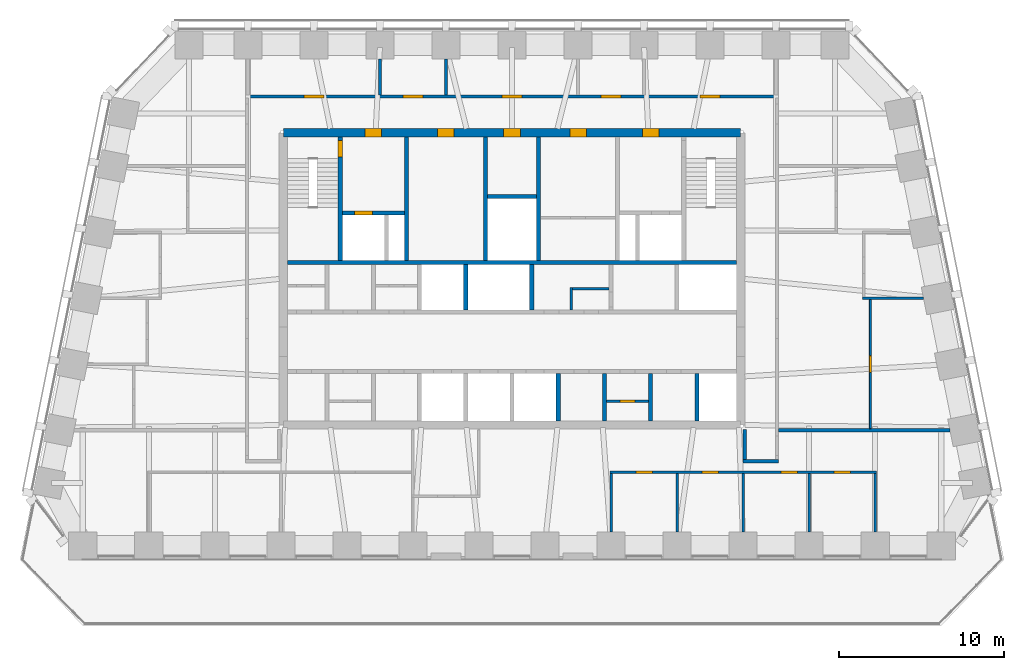
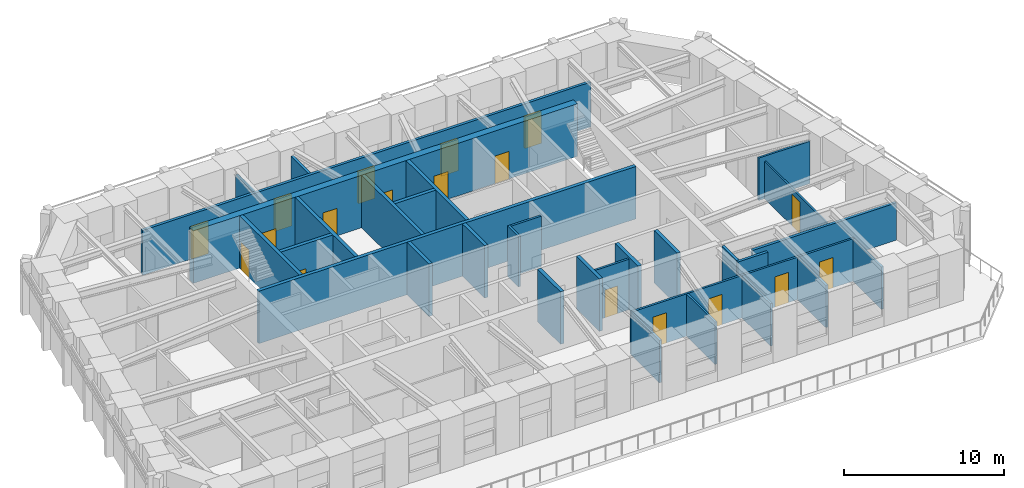
# One storey, part 6 of 10: 31 walls, 18 doors, 18 openings.
"""IFC4 building model written with IfcOpenShell, lengths in metres."""

from ifc_helpers import new_model, si_unit, direction, frame, frame_2d, origin, place, context, subcontext, project, spatial, rectangle, extrude, material, layer, layer_set, type_object, element, fill, save


model = new_model("IFC4")

# Units and contexts
model_context = context("Model", 3, precision=1e-05, world=origin(), true_north=direction((0.0, 1.0)))
body_context = subcontext(model_context, "Body", "Model", "MODEL_VIEW")
ifc_project = project(units=[si_unit("LENGTHUNIT", "METRE"), si_unit("AREAUNIT", "SQUARE_METRE"), si_unit("VOLUMEUNIT", "CUBIC_METRE"), si_unit("PLANEANGLEUNIT", "RADIAN"), si_unit("MASSUNIT", "GRAM", prefix="KILO")], contexts=[model_context])

# Site, building, storey
site_placement = place(None, origin())
site = spatial("IfcSite", under=ifc_project, at=site_placement, CompositionType="ELEMENT")
building_placement = place(site_placement, origin())
building = spatial("IfcBuilding", under=site, at=building_placement, Name="Isbrekke Arena Tower", CompositionType="ELEMENT")
storey_placement = place(building_placement, frame((0.0, 0.0, 296.0)))
storey = spatial("IfcBuildingStorey", under=building, at=storey_placement, Name="L69", CompositionType="ELEMENT", Elevation=296.0)

# Wall, openings, doors
ifc_material_1 = material(Name="Concrete B55 (C55/67)", Category="concrete")
ifc_layer_1 = layer(ifc_material_1, 0.5)
ifc_layer_set_1 = layer_set([ifc_layer_1], Name="CW5 CORE WALL 500")
wall_type_1 = type_object("IfcWallType", Name="CW5 CORE WALL 500", PredefinedType="SHEAR", material=ifc_layer_set_1)
wall_1_placement = place(storey_placement, frame((13.85009765625, 23.85009765625, 0.0), z_axis=(0.0, 0.0, 1.0), x_axis=(-1.0, 0.0, 0.0)))
wall_1 = element("IfcWall", 1, at=wall_1_placement, inside=storey, type_object=wall_type_1, Name="Core wall N L69", PredefinedType="SHEAR", context=body_context, shape_type="SweptSolid", body=[
    extrude(rectangle(XDim=27.7001953125, YDim=0.5, at=frame_2d((13.85009765625, 0.0))), origin(), (0.0, 0.0, 1.0), 4.0),
])
opening_1_placement = place(wall_1_placement, frame((21.75, 0.0, 0.0)))
opening_1 = element("IfcOpeningElement", 2, at=opening_1_placement, cuts=wall_1, Name="Opening D3", PredefinedType="OPENING", context=body_context, shape_type="SweptSolid", body=[
    extrude(rectangle(XDim=1.0, YDim=2.10009765625, at=frame_2d((0.5, 1.050048828125))), frame((0.0, 0.264892578125, 0.0), z_axis=(0.0, -1.0, 0.0), x_axis=(1.0, 0.0, 0.0)), (0.0, 0.0, 1.0), 0.52978515625),
])
opening_2_placement = place(wall_1_placement, frame((4.949951171875, 0.0, 0.0)))
opening_2 = element("IfcOpeningElement", 3, at=opening_2_placement, cuts=wall_1, Name="Opening D3", PredefinedType="OPENING", context=body_context, shape_type="SweptSolid", body=[
    extrude(rectangle(XDim=1.0, YDim=2.10009765625, at=frame_2d((0.5, 1.050048828125))), frame((0.0, 0.264892578125, 0.0), z_axis=(0.0, -1.0, 0.0), x_axis=(1.0, 0.0, 0.0)), (0.0, 0.0, 1.0), 0.52978515625),
])
opening_3_placement = place(wall_1_placement, frame((17.35009765625, 0.0, 0.0)))
opening_3 = element("IfcOpeningElement", 4, at=opening_3_placement, cuts=wall_1, Name="Opening D4", PredefinedType="OPENING", context=body_context, shape_type="SweptSolid", body=[
    extrude(rectangle(XDim=1.0, YDim=2.10009765625, at=frame_2d((0.5, 1.050048828125))), frame((0.0, 0.264892578125, 0.0), z_axis=(0.0, -1.0, 0.0), x_axis=(1.0, 0.0, 0.0)), (0.0, 0.0, 1.0), 0.52978515625),
])
opening_4_placement = place(wall_1_placement, frame((13.35009765625, 0.0, 0.0)))
opening_4 = element("IfcOpeningElement", 5, at=opening_4_placement, cuts=wall_1, Name="Opening D4", PredefinedType="OPENING", context=body_context, shape_type="SweptSolid", body=[
    extrude(rectangle(XDim=1.0, YDim=2.10009765625, at=frame_2d((0.5, 1.050048828125))), frame((0.0, 0.264892578125, 0.0), z_axis=(0.0, -1.0, 0.0), x_axis=(1.0, 0.0, 0.0)), (0.0, 0.0, 1.0), 0.52978515625),
])
opening_5_placement = place(wall_1_placement, frame((9.35009765625, 0.0, 0.0)))
opening_5 = element("IfcOpeningElement", 6, at=opening_5_placement, cuts=wall_1, Name="Opening D4", PredefinedType="OPENING", context=body_context, shape_type="SweptSolid", body=[
    extrude(rectangle(XDim=1.0, YDim=2.10009765625, at=frame_2d((0.5, 1.050048828125))), frame((0.0, 0.264892578125, 0.0), z_axis=(0.0, -1.0, 0.0), x_axis=(1.0, 0.0, 0.0)), (0.0, 0.0, 1.0), 0.52978515625),
])
ifc_material_2 = material(Name="Steel fire door", Category="steel")
door_type_1 = type_object("IfcDoorType", Name="D3 FIRE LOBBY DOOR 1000 x 2100", OperationType="SINGLE_SWING_RIGHT", PredefinedType="DOOR", material=ifc_material_2)
door_1_placement = place(opening_1_placement, origin())
door_1 = element("IfcDoor", 7, at=door_1_placement, inside=storey, type_object=door_type_1, Name="D3 fire-fighting lobby door L69", OperationType="SINGLE_SWING_RIGHT", OverallHeight=2.10009765625, OverallWidth=1.0, PredefinedType="DOOR", context=body_context, shape_type="SweptSolid", body=[
    extrude(rectangle(XDim=1.0, YDim=2.10009765625, at=frame_2d((0.5, 1.050048828125))), frame((0.0, 0.249755859375, 0.0), z_axis=(0.0, -1.0, 0.0), x_axis=(1.0, 0.0, 0.0)), (0.0, 0.0, 1.0), 0.49951171875),
])
fill(opening_1, door_1)
door_2_placement = place(opening_2_placement, origin())
door_2 = element("IfcDoor", 8, at=door_2_placement, inside=storey, type_object=door_type_1, Name="D3 fire-fighting lobby door L69", OperationType="SINGLE_SWING_RIGHT", OverallHeight=2.10009765625, OverallWidth=1.0, PredefinedType="DOOR", context=body_context, shape_type="SweptSolid", body=[
    extrude(rectangle(XDim=1.0, YDim=2.10009765625, at=frame_2d((0.5, 1.050048828125))), frame((0.0, 0.249755859375, 0.0), z_axis=(0.0, -1.0, 0.0), x_axis=(1.0, 0.0, 0.0)), (0.0, 0.0, 1.0), 0.49951171875),
])
fill(opening_2, door_2)
ifc_material_3 = material(Name="Timber door", Category="wood")
door_type_2 = type_object("IfcDoorType", Name="D4 WC DOOR 1000 x 2100", OperationType="SINGLE_SWING_LEFT", PredefinedType="DOOR", material=ifc_material_3)
door_3_placement = place(opening_3_placement, origin())
door_3 = element("IfcDoor", 9, at=door_3_placement, inside=storey, type_object=door_type_2, Name="D4 wc female door L69", OperationType="SINGLE_SWING_LEFT", OverallHeight=2.10009765625, OverallWidth=1.0, PredefinedType="DOOR", context=body_context, shape_type="SweptSolid", body=[
    extrude(rectangle(XDim=1.0, YDim=2.10009765625, at=frame_2d((0.5, 1.050048828125))), frame((0.0, 0.249755859375, 0.0), z_axis=(0.0, -1.0, 0.0), x_axis=(1.0, 0.0, 0.0)), (0.0, 0.0, 1.0), 0.49951171875),
])
fill(opening_3, door_3)
door_4_placement = place(opening_4_placement, origin())
door_4 = element("IfcDoor", 10, at=door_4_placement, inside=storey, type_object=door_type_2, Name="D4 accessible wc door L69", OperationType="SINGLE_SWING_LEFT", OverallHeight=2.10009765625, OverallWidth=1.0, PredefinedType="DOOR", context=body_context, shape_type="SweptSolid", body=[
    extrude(rectangle(XDim=1.0, YDim=2.10009765625, at=frame_2d((0.5, 1.050048828125))), frame((0.0, 0.249755859375, 0.0), z_axis=(0.0, -1.0, 0.0), x_axis=(1.0, 0.0, 0.0)), (0.0, 0.0, 1.0), 0.49951171875),
])
fill(opening_4, door_4)
door_5_placement = place(opening_5_placement, origin())
door_5 = element("IfcDoor", 11, at=door_5_placement, inside=storey, type_object=door_type_2, Name="D4 wc male door L69", OperationType="SINGLE_SWING_LEFT", OverallHeight=2.10009765625, OverallWidth=1.0, PredefinedType="DOOR", context=body_context, shape_type="SweptSolid", body=[
    extrude(rectangle(XDim=1.0, YDim=2.10009765625, at=frame_2d((0.5, 1.050048828125))), frame((0.0, 0.249755859375, 0.0), z_axis=(0.0, -1.0, 0.0), x_axis=(1.0, 0.0, 0.0)), (0.0, 0.0, 1.0), 0.49951171875),
])
fill(opening_5, door_5)

# Walls
ifc_material_4 = material(Name="Concrete B45 (C45/55)", Category="concrete")
ifc_layer_2 = layer(ifc_material_4, 0.25)
ifc_layer_set_2 = layer_set([ifc_layer_2], Name="CW6 SHAFT WALL 250")
wall_type_2 = type_object("IfcWallType", Name="CW6 SHAFT WALL 250", PredefinedType="SHEAR", material=ifc_layer_set_2)
wall_2_placement = place(storey_placement, frame((-13.60009765625, 16.0, 0.0), z_axis=(0.0, 0.0, 1.0), x_axis=(1.0, 0.0, 0.0)))
element("IfcWall", 12, at=wall_2_placement, inside=storey, type_object=wall_type_2, Name="Core wall NB L69", PredefinedType="SHEAR", context=body_context, shape_type="SweptSolid", body=[
    extrude(rectangle(XDim=27.2001953125, YDim=0.25, at=frame_2d((13.60009765625, 0.0))), origin(), (0.0, 0.0, 1.0), 4.0),
])
for number, where, z_axis, x_axis, name in (
    (13, (2.800048828125, 6.39990234375, 0.0), (0.0, 0.0, 1.0), (0.0, 1.0, 0.0), "Core wall SS06 L69"),
    (14, (5.60009765625, 6.39990234375, 0.0), (0.0, 0.0, 1.0), (0.0, 1.0, 0.0), "Core wall SS07 L69"),
    (15, (8.39990234375, 6.39990234375, 0.0), (0.0, 0.0, 1.0), (0.0, 1.0, 0.0), "Core wall SS08 L69"),
    (16, (11.199951171875, 6.39990234375, 0.0), (0.0, 0.0, 1.0), (0.0, 1.0, 0.0), "Core wall SS09 L69"),
):
    element("IfcWall", number, at=place(storey_placement, frame(where, z_axis=z_axis, x_axis=x_axis)), inside=storey, type_object=wall_type_2, Name=name, PredefinedType="SHEAR", context=body_context, shape_type="SweptSolid", body=[
        extrude(rectangle(XDim=2.875, YDim=0.25, at=frame_2d((1.4375, 0.0))), origin(), (0.0, 0.0, 1.0), 4.0),
    ])
for number, where, z_axis, x_axis, name in (
    (17, (-2.800048828125, 13.125, 0.0), (0.0, 0.0, 1.0), (0.0, 1.0, 0.0), "Core wall SN04 L69"),
    (18, (1.199951171875, 13.125, 0.0), (0.0, 0.0, 1.0), (0.0, 1.0, 0.0), "Core wall SN05 L69"),
):
    element("IfcWall", number, at=place(storey_placement, frame(where, z_axis=z_axis, x_axis=x_axis)), inside=storey, type_object=wall_type_2, Name=name, PredefinedType="SHEAR", context=body_context, shape_type="SweptSolid", body=[
        extrude(rectangle(XDim=2.75, YDim=0.25, at=frame_2d((1.375, 0.0))), origin(), (0.0, 0.0, 1.0), 4.0),
    ])

# Wall, opening, door
wall_3_placement = place(storey_placement, frame((-10.39990234375, 16.125, 0.0), z_axis=(0.0, 0.0, 1.0), x_axis=(0.0, 1.0, 0.0)))
wall_3 = element("IfcWall", 19, at=wall_3_placement, inside=storey, type_object=wall_type_2, Name="Core wall NV01 L69", PredefinedType="SHEAR", context=body_context, shape_type="SweptSolid", body=[
    extrude(rectangle(XDim=7.47509765625, YDim=0.25, at=frame_2d((3.737548828125, 0.0))), origin(), (0.0, 0.0, 1.0), 4.0),
])
opening_6_placement = place(wall_3_placement, frame((6.27490234375, 0.0, 0.0)))
opening_6 = element("IfcOpeningElement", 20, at=opening_6_placement, cuts=wall_3, Name="Opening D2", PredefinedType="OPENING", context=body_context, shape_type="SweptSolid", body=[
    extrude(rectangle(XDim=1.0, YDim=2.10009765625, at=frame_2d((0.5, 1.050048828125))), frame((0.0, 0.139892578125, 0.0), z_axis=(0.0, -1.0, 0.0), x_axis=(1.0, 0.0, 0.0)), (0.0, 0.0, 1.0), 0.27978515625),
])
ifc_material_5 = material(Name="Steel fire door", Category="steel")
door_type_3 = type_object("IfcDoorType", Name="D2 STAIR DOOR 1000 x 2100", OperationType="SINGLE_SWING_LEFT", PredefinedType="DOOR", material=ifc_material_5)
door_6_placement = place(opening_6_placement, origin())
door_6 = element("IfcDoor", 21, at=door_6_placement, inside=storey, type_object=door_type_3, Name="D2 stair door ST1 L69", OperationType="SINGLE_SWING_LEFT", OverallHeight=2.10009765625, OverallWidth=1.0, PredefinedType="DOOR", context=body_context, shape_type="SweptSolid", body=[
    extrude(rectangle(XDim=1.0, YDim=2.10009765625, at=frame_2d((0.5, 1.050048828125))), frame((0.0, 0.124755859375, 0.0), z_axis=(0.0, -1.0, 0.0), x_axis=(1.0, 0.0, 0.0)), (0.0, 0.0, 1.0), 0.24951171875),
])
fill(opening_6, door_6)

# Walls
for number, where, z_axis, x_axis, name in (
    (22, (-6.39990234375, 16.125, 0.0), (0.0, 0.0, 1.0), (0.0, 1.0, 0.0), "Core wall NV02 L69"),
    (23, (-1.60009765625, 16.125, 0.0), (0.0, 0.0, 1.0), (0.0, 1.0, 0.0), "Core wall NV03 L69"),
    (24, (1.60009765625, 16.125, 0.0), (0.0, 0.0, 1.0), (0.0, 1.0, 0.0), "Core wall NV04 L69"),
):
    element("IfcWall", number, at=place(storey_placement, frame(where, z_axis=z_axis, x_axis=x_axis)), inside=storey, type_object=wall_type_2, Name=name, PredefinedType="SHEAR", context=body_context, shape_type="SweptSolid", body=[
        extrude(rectangle(XDim=7.47509765625, YDim=0.25, at=frame_2d((3.737548828125, 0.0))), origin(), (0.0, 0.0, 1.0), 4.0),
    ])

# Wall, opening, door
wall_4_placement = place(storey_placement, frame((-10.27490234375, 19.0, 0.0), z_axis=(0.0, 0.0, 1.0), x_axis=(1.0, 0.0, 0.0)))
wall_4 = element("IfcWall", 25, at=wall_4_placement, inside=storey, type_object=wall_type_2, Name="Core wall NFW L69", PredefinedType="SHEAR", context=body_context, shape_type="SweptSolid", body=[
    extrude(rectangle(XDim=3.75, YDim=0.25, at=frame_2d((1.875, 0.0))), origin(), (0.0, 0.0, 1.0), 4.0),
])
opening_7_placement = place(wall_4_placement, frame((0.72509765625, 0.0, 0.0)))
opening_7 = element("IfcOpeningElement", 26, at=opening_7_placement, cuts=wall_4, Name="Opening LD2", PredefinedType="OPENING", context=body_context, shape_type="SweptSolid", body=[
    extrude(rectangle(XDim=1.10009765625, YDim=2.10009765625, at=frame_2d((0.550048828125, 1.050048828125))), frame((0.0, 0.139892578125, 0.0), z_axis=(0.0, -1.0, 0.0), x_axis=(1.0, 0.0, 0.0)), (0.0, 0.0, 1.0), 0.27978515625),
])
ifc_material_6 = material(Name="Stainless steel lift landing door", Category="steel")
door_type_4 = type_object("IfcDoorType", Name="LD2 FIRE-FIGHTING LIFT LANDING DOOR 1100 x 2100", OperationType="SLIDING_TO_RIGHT", PredefinedType="DOOR", material=ifc_material_6)
door_7_placement = place(opening_7_placement, origin())
door_7 = element("IfcDoor", 27, at=door_7_placement, inside=storey, type_object=door_type_4, Name="LD2 lift landing door LF L69", OperationType="SLIDING_TO_RIGHT", OverallHeight=2.10009765625, OverallWidth=1.10009765625, PredefinedType="DOOR", context=body_context, shape_type="SweptSolid", body=[
    extrude(rectangle(XDim=1.10009765625, YDim=2.10009765625, at=frame_2d((0.550048828125, 1.050048828125))), frame((0.0, 0.124755859375, 0.0), z_axis=(0.0, -1.0, 0.0), x_axis=(1.0, 0.0, 0.0)), (0.0, 0.0, 1.0), 0.24951171875),
])
fill(opening_7, door_7)

# Wall
wall_5_placement = place(storey_placement, frame((-1.47509765625, 20.0, 0.0), z_axis=(0.0, 0.0, 1.0), x_axis=(1.0, 0.0, 0.0)))
element("IfcWall", 28, at=wall_5_placement, inside=storey, type_object=wall_type_2, Name="Core wall NWC L69", PredefinedType="SHEAR", context=body_context, shape_type="SweptSolid", body=[
    extrude(rectangle(XDim=2.9501953125, YDim=0.25, at=frame_2d((1.47509765625, 0.0))), origin(), (0.0, 0.0, 1.0), 4.0),
])

# Wall, openings, doors
ifc_material_7 = material(Name="Gypsum board partition on steel studs", Category="steel")
ifc_layer_3 = layer(ifc_material_7, 0.14990234375)
ifc_layer_set_3 = layer_set([ifc_layer_3], Name="IW1 PARTITION 150")
wall_type_3 = type_object("IfcWallType", Name="IW1 PARTITION 150", PredefinedType="PARTITIONING", material=ifc_layer_set_3)
wall_6_placement = place(storey_placement, frame((5.925048828125, 3.300048828125, 0.0), z_axis=(0.0, 0.0, 1.0), x_axis=(1.0, 0.0, 0.0)))
wall_6 = element("IfcWall", 29, at=wall_6_placement, inside=storey, type_object=wall_type_3, Name="IW1 partition 150 L69", PredefinedType="PARTITIONING", context=body_context, shape_type="SweptSolid", body=[
    extrude(rectangle(XDim=16.14990234375, YDim=0.14990234375, at=frame_2d((8.074951171875, 0.0))), origin(), (0.0, 0.0, 1.0), 3.22998046875),
])
opening_8_placement = place(wall_6_placement, frame((1.574951171875, 0.0, 0.0)))
opening_8 = element("IfcOpeningElement", 30, at=opening_8_placement, cuts=wall_6, Name="Opening D10", PredefinedType="OPENING", context=body_context, shape_type="SweptSolid", body=[
    extrude(rectangle(XDim=1.0, YDim=2.300048828125, at=frame_2d((0.5, 1.14990234375))), frame((0.0, 0.08984375, 0.0), z_axis=(0.0, -1.0, 0.0), x_axis=(1.0, 0.0, 0.0)), (0.0, 0.0, 1.0), 0.1796875),
])
opening_9_placement = place(wall_6_placement, frame((5.574951171875, 0.0, 0.0)))
opening_9 = element("IfcOpeningElement", 31, at=opening_9_placement, cuts=wall_6, Name="Opening D10", PredefinedType="OPENING", context=body_context, shape_type="SweptSolid", body=[
    extrude(rectangle(XDim=1.0, YDim=2.300048828125, at=frame_2d((0.5, 1.14990234375))), frame((0.0, 0.08984375, 0.0), z_axis=(0.0, -1.0, 0.0), x_axis=(1.0, 0.0, 0.0)), (0.0, 0.0, 1.0), 0.1796875),
])
opening_10_placement = place(wall_6_placement, frame((10.375, 0.0, 0.0)))
opening_10 = element("IfcOpeningElement", 32, at=opening_10_placement, cuts=wall_6, Name="Opening D10", PredefinedType="OPENING", context=body_context, shape_type="SweptSolid", body=[
    extrude(rectangle(XDim=1.0, YDim=2.300048828125, at=frame_2d((0.5, 1.14990234375))), frame((0.0, 0.08984375, 0.0), z_axis=(0.0, -1.0, 0.0), x_axis=(1.0, 0.0, 0.0)), (0.0, 0.0, 1.0), 0.1796875),
])
opening_11_placement = place(wall_6_placement, frame((13.574951171875, 0.0, 0.0)))
opening_11 = element("IfcOpeningElement", 33, at=opening_11_placement, cuts=wall_6, Name="Opening D10", PredefinedType="OPENING", context=body_context, shape_type="SweptSolid", body=[
    extrude(rectangle(XDim=1.0, YDim=2.300048828125, at=frame_2d((0.5, 1.14990234375))), frame((0.0, 0.08984375, 0.0), z_axis=(0.0, -1.0, 0.0), x_axis=(1.0, 0.0, 0.0)), (0.0, 0.0, 1.0), 0.1796875),
])
ifc_material_8 = material(Name="Timber door", Category="wood")
door_type_5 = type_object("IfcDoorType", Name="D10 OFFICE DOOR 1000 x 2300", OperationType="SINGLE_SWING_LEFT", PredefinedType="DOOR", material=ifc_material_8)
door_8_placement = place(opening_8_placement, origin())
door_8 = element("IfcDoor", 34, at=door_8_placement, inside=storey, type_object=door_type_5, Name="D10 office door L69", OperationType="SINGLE_SWING_LEFT", OverallHeight=2.300048828125, OverallWidth=1.0, PredefinedType="DOOR", context=body_context, shape_type="SweptSolid", body=[
    extrude(rectangle(XDim=1.0, YDim=2.300048828125, at=frame_2d((0.5, 1.14990234375))), frame((0.0, 0.07470703125, 0.0), z_axis=(0.0, -1.0, 0.0), x_axis=(1.0, 0.0, 0.0)), (0.0, 0.0, 1.0), 0.1494140625),
])
fill(opening_8, door_8)
door_9_placement = place(opening_9_placement, origin())
door_9 = element("IfcDoor", 35, at=door_9_placement, inside=storey, type_object=door_type_5, Name="D10 office door L69", OperationType="SINGLE_SWING_LEFT", OverallHeight=2.300048828125, OverallWidth=1.0, PredefinedType="DOOR", context=body_context, shape_type="SweptSolid", body=[
    extrude(rectangle(XDim=1.0, YDim=2.300048828125, at=frame_2d((0.5, 1.14990234375))), frame((0.0, 0.07470703125, 0.0), z_axis=(0.0, -1.0, 0.0), x_axis=(1.0, 0.0, 0.0)), (0.0, 0.0, 1.0), 0.1494140625),
])
fill(opening_9, door_9)
door_10_placement = place(opening_10_placement, origin())
door_10 = element("IfcDoor", 36, at=door_10_placement, inside=storey, type_object=door_type_5, Name="D10 office door L69", OperationType="SINGLE_SWING_LEFT", OverallHeight=2.300048828125, OverallWidth=1.0, PredefinedType="DOOR", context=body_context, shape_type="SweptSolid", body=[
    extrude(rectangle(XDim=1.0, YDim=2.300048828125, at=frame_2d((0.5, 1.14990234375))), frame((0.0, 0.07470703125, 0.0), z_axis=(0.0, -1.0, 0.0), x_axis=(1.0, 0.0, 0.0)), (0.0, 0.0, 1.0), 0.1494140625),
])
fill(opening_10, door_10)
door_11_placement = place(opening_11_placement, origin())
door_11 = element("IfcDoor", 37, at=door_11_placement, inside=storey, type_object=door_type_5, Name="D10 office door L69", OperationType="SINGLE_SWING_LEFT", OverallHeight=2.300048828125, OverallWidth=1.0, PredefinedType="DOOR", context=body_context, shape_type="SweptSolid", body=[
    extrude(rectangle(XDim=1.0, YDim=2.300048828125, at=frame_2d((0.5, 1.14990234375))), frame((0.0, 0.07470703125, 0.0), z_axis=(0.0, -1.0, 0.0), x_axis=(1.0, 0.0, 0.0)), (0.0, 0.0, 1.0), 0.1494140625),
])
fill(opening_11, door_11)

# Walls
wall_7_placement = place(storey_placement, frame((21.22509765625, 13.840087890625, 0.0), z_axis=(0.0, 0.0, 1.0), x_axis=(1.0, 0.0, 0.0)))
element("IfcWall", 38, at=wall_7_placement, inside=storey, type_object=wall_type_3, Name="IW1 partition 150 L69", PredefinedType="PARTITIONING", context=body_context, shape_type="SweptSolid", body=[
    extrude(rectangle(XDim=3.69873046875, YDim=0.14990234375, at=frame_2d((1.849365234375, 0.0))), origin(), (0.0, 0.0, 1.0), 3.22998046875),
])
for number, where, z_axis, x_axis, name in (
    (39, (6.0, -0.324951171875, 0.0), (0.0, 0.0, 1.0), (0.0, 1.0, 0.0), "IW1 partition 150 L69"),
    (40, (10.0, -0.324951171875, 0.0), (0.0, 0.0, 1.0), (0.0, 1.0, 0.0), "IW1 partition 150 L69"),
    (41, (14.0, -0.324951171875, 0.0), (0.0, 0.0, 1.0), (0.0, 1.0, 0.0), "IW1 partition 150 L69"),
    (42, (18.0, -0.324951171875, 0.0), (0.0, 0.0, 1.0), (0.0, 1.0, 0.0), "IW1 partition 150 L69"),
    (43, (22.0, -0.324951171875, 0.0), (0.0, 0.0, 1.0), (0.0, 1.0, 0.0), "IW1 partition 150 L69"),
):
    element("IfcWall", number, at=place(storey_placement, frame(where, z_axis=z_axis, x_axis=x_axis)), inside=storey, type_object=wall_type_3, Name=name, PredefinedType="PARTITIONING", context=body_context, shape_type="SweptSolid", body=[
        extrude(rectangle(XDim=3.550048828125, YDim=0.14990234375, at=frame_2d((1.77490234375, 0.0))), origin(), (0.0, 0.0, 1.0), 3.22998046875),
    ])

# Wall, opening, door
ifc_material_9 = material(Name="Frameless glazed partition, laminated acoustic glass", Category="glass")
ifc_layer_4 = layer(ifc_material_9, 0.1201171875)
ifc_layer_set_4 = layer_set([ifc_layer_4], Name="IW2 GLAZED PARTITION 120")
wall_type_4 = type_object("IfcWallType", Name="IW2 GLAZED PARTITION 120", PredefinedType="PARTITIONING", material=ifc_layer_set_4)
wall_8_placement = place(storey_placement, frame((21.699951171875, 5.93994140625, 0.0), z_axis=(0.0, 0.0, 1.0), x_axis=(0.0, 1.0, 0.0)))
wall_8 = element("IfcWall", 44, at=wall_8_placement, inside=storey, type_object=wall_type_4, Name="IW2 glazed partition 120 L69", PredefinedType="PARTITIONING", context=body_context, shape_type="SweptSolid", body=[
    extrude(rectangle(XDim=7.824951171875, YDim=0.1201171875, at=frame_2d((3.91259765625, 0.0))), origin(), (0.0, 0.0, 1.0), 2.842041015625),
])
opening_12_placement = place(wall_8_placement, frame((3.39990234375, 0.0, 0.0)))
opening_12 = element("IfcOpeningElement", 45, at=opening_12_placement, cuts=wall_8, Name="Opening D11", PredefinedType="OPENING", context=body_context, shape_type="SweptSolid", body=[
    extrude(rectangle(XDim=1.0, YDim=2.39990234375, at=frame_2d((0.5, 1.199951171875))), frame((0.0, 0.074951171875, 0.0), z_axis=(0.0, -1.0, 0.0), x_axis=(1.0, 0.0, 0.0)), (0.0, 0.0, 1.0), 0.14990234375),
])
ifc_material_10 = material(Name="Frameless glazed door", Category="glass")
door_type_6 = type_object("IfcDoorType", Name="D11 GLAZED MEETING ROOM DOOR 1000 x 2400", OperationType="SINGLE_SWING_RIGHT", PredefinedType="DOOR", material=ifc_material_10)
door_12_placement = place(opening_12_placement, origin())
door_12 = element("IfcDoor", 46, at=door_12_placement, inside=storey, type_object=door_type_6, Name="D11 meeting room door L69", OperationType="SINGLE_SWING_RIGHT", OverallHeight=2.39990234375, OverallWidth=1.0, PredefinedType="DOOR", context=body_context, shape_type="SweptSolid", body=[
    extrude(rectangle(XDim=1.0, YDim=2.39990234375, at=frame_2d((0.5, 1.199951171875))), frame((0.0, 0.059814453125, 0.0), z_axis=(0.0, -1.0, 0.0), x_axis=(1.0, 0.0, 0.0)), (0.0, 0.0, 1.0), 0.11962890625),
])
fill(opening_12, door_12)

# Walls
ifc_material_11 = material(Name="Gypsum board fire-cell wall on steel studs, two layers each side", Category="steel")
ifc_layer_5 = layer(ifc_material_11, 0.199951171875)
ifc_layer_set_5 = layer_set([ifc_layer_5], Name="IW3 FIRE-CELL WALL 200")
wall_type_5 = type_object("IfcWallType", Name="IW3 FIRE-CELL WALL 200", PredefinedType="PARTITIONING", material=ifc_layer_set_5)
wall_9_placement = place(storey_placement, frame((14.0, 3.949951171875, 0.0), z_axis=(0.0, 0.0, 1.0), x_axis=(1.0, 0.0, 0.0)))
element("IfcWall", 47, at=wall_9_placement, inside=storey, type_object=wall_type_5, Name="IW3 fire-cell wall 200 L69", PredefinedType="PARTITIONING", context=body_context, shape_type="SweptSolid", body=[
    extrude(rectangle(XDim=2.14990234375, YDim=0.199951171875, at=frame_2d((1.074951171875, 0.0))), origin(), (0.0, 0.0, 1.0), 3.85009765625),
])
wall_10_placement = place(storey_placement, frame((16.14990234375, 5.840087890625, 0.0), z_axis=(0.0, 0.0, 1.0), x_axis=(1.0, 0.0, 0.0)))
element("IfcWall", 48, at=wall_10_placement, inside=storey, type_object=wall_type_5, Name="IW3 fire-cell wall 200 L69", PredefinedType="PARTITIONING", context=body_context, shape_type="SweptSolid", body=[
    extrude(rectangle(XDim=10.373779296875, YDim=0.199951171875, at=frame_2d((5.18701171875, 0.0))), origin(), (0.0, 0.0, 1.0), 2.842041015625),
])

# Wall, openings, doors
wall_11_placement = place(storey_placement, frame((-16.14990234375, 26.050048828125, 0.0), z_axis=(0.0, 0.0, 1.0), x_axis=(1.0, 0.0, 0.0)))
wall_11 = element("IfcWall", 49, at=wall_11_placement, inside=storey, type_object=wall_type_5, Name="IW3 fire-cell wall 200 L69", PredefinedType="PARTITIONING", context=body_context, shape_type="SweptSolid", body=[
    extrude(rectangle(XDim=32.2998046875, YDim=0.199951171875, at=frame_2d((16.14990234375, 0.0))), origin(), (0.0, 0.0, 1.0), 3.41796875),
])
opening_13_placement = place(wall_11_placement, frame((3.550048828125, 0.0, 0.0)))
opening_13 = element("IfcOpeningElement", 50, at=opening_13_placement, cuts=wall_11, Name="Opening D12", PredefinedType="OPENING", context=body_context, shape_type="SweptSolid", body=[
    extrude(rectangle(XDim=1.199951171875, YDim=2.39990234375, at=frame_2d((0.60009765625, 1.199951171875))), frame((0.0, 0.11474609375, 0.0), z_axis=(0.0, -1.0, 0.0), x_axis=(1.0, 0.0, 0.0)), (0.0, 0.0, 1.0), 0.229736328125),
])
opening_14_placement = place(wall_11_placement, frame((9.550048828125, 0.0, 0.0)))
opening_14 = element("IfcOpeningElement", 51, at=opening_14_placement, cuts=wall_11, Name="Opening D12", PredefinedType="OPENING", context=body_context, shape_type="SweptSolid", body=[
    extrude(rectangle(XDim=1.199951171875, YDim=2.39990234375, at=frame_2d((0.60009765625, 1.199951171875))), frame((0.0, 0.11474609375, 0.0), z_axis=(0.0, -1.0, 0.0), x_axis=(1.0, 0.0, 0.0)), (0.0, 0.0, 1.0), 0.229736328125),
])
opening_15_placement = place(wall_11_placement, frame((15.550048828125, 0.0, 0.0)))
opening_15 = element("IfcOpeningElement", 52, at=opening_15_placement, cuts=wall_11, Name="Opening D12", PredefinedType="OPENING", context=body_context, shape_type="SweptSolid", body=[
    extrude(rectangle(XDim=1.199951171875, YDim=2.39990234375, at=frame_2d((0.60009765625, 1.199951171875))), frame((0.0, 0.11474609375, 0.0), z_axis=(0.0, -1.0, 0.0), x_axis=(1.0, 0.0, 0.0)), (0.0, 0.0, 1.0), 0.229736328125),
])
opening_16_placement = place(wall_11_placement, frame((21.550048828125, 0.0, 0.0)))
opening_16 = element("IfcOpeningElement", 53, at=opening_16_placement, cuts=wall_11, Name="Opening D12", PredefinedType="OPENING", context=body_context, shape_type="SweptSolid", body=[
    extrude(rectangle(XDim=1.199951171875, YDim=2.39990234375, at=frame_2d((0.60009765625, 1.199951171875))), frame((0.0, 0.11474609375, 0.0), z_axis=(0.0, -1.0, 0.0), x_axis=(1.0, 0.0, 0.0)), (0.0, 0.0, 1.0), 0.229736328125),
])
opening_17_placement = place(wall_11_placement, frame((27.550048828125, 0.0, 0.0)))
opening_17 = element("IfcOpeningElement", 54, at=opening_17_placement, cuts=wall_11, Name="Opening D12", PredefinedType="OPENING", context=body_context, shape_type="SweptSolid", body=[
    extrude(rectangle(XDim=1.199951171875, YDim=2.39990234375, at=frame_2d((0.60009765625, 1.199951171875))), frame((0.0, 0.11474609375, 0.0), z_axis=(0.0, -1.0, 0.0), x_axis=(1.0, 0.0, 0.0)), (0.0, 0.0, 1.0), 0.229736328125),
])
ifc_material_12 = material(Name="Timber fire door with vision panel", Category="wood")
door_type_7 = type_object("IfcDoorType", Name="D12 SUITE ENTRANCE DOOR 1200 x 2400", OperationType="SINGLE_SWING_LEFT", PredefinedType="DOOR", material=ifc_material_12)
door_13_placement = place(opening_13_placement, origin())
door_13 = element("IfcDoor", 55, at=door_13_placement, inside=storey, type_object=door_type_7, Name="D12 suite entrance NB1 door L69", OperationType="SINGLE_SWING_LEFT", OverallHeight=2.39990234375, OverallWidth=1.199951171875, PredefinedType="DOOR", context=body_context, shape_type="SweptSolid", body=[
    extrude(rectangle(XDim=1.199951171875, YDim=2.39990234375, at=frame_2d((0.60009765625, 1.199951171875))), frame((0.0, 0.099609375, 0.0), z_axis=(0.0, -1.0, 0.0), x_axis=(1.0, 0.0, 0.0)), (0.0, 0.0, 1.0), 0.199462890625),
])
fill(opening_13, door_13)
door_14_placement = place(opening_14_placement, origin())
door_14 = element("IfcDoor", 56, at=door_14_placement, inside=storey, type_object=door_type_7, Name="D12 suite entrance NB2 door L69", OperationType="SINGLE_SWING_LEFT", OverallHeight=2.39990234375, OverallWidth=1.199951171875, PredefinedType="DOOR", context=body_context, shape_type="SweptSolid", body=[
    extrude(rectangle(XDim=1.199951171875, YDim=2.39990234375, at=frame_2d((0.60009765625, 1.199951171875))), frame((0.0, 0.099609375, 0.0), z_axis=(0.0, -1.0, 0.0), x_axis=(1.0, 0.0, 0.0)), (0.0, 0.0, 1.0), 0.199462890625),
])
fill(opening_14, door_14)
door_15_placement = place(opening_15_placement, origin())
door_15 = element("IfcDoor", 57, at=door_15_placement, inside=storey, type_object=door_type_7, Name="D12 suite entrance NB3 door L69", OperationType="SINGLE_SWING_LEFT", OverallHeight=2.39990234375, OverallWidth=1.199951171875, PredefinedType="DOOR", context=body_context, shape_type="SweptSolid", body=[
    extrude(rectangle(XDim=1.199951171875, YDim=2.39990234375, at=frame_2d((0.60009765625, 1.199951171875))), frame((0.0, 0.099609375, 0.0), z_axis=(0.0, -1.0, 0.0), x_axis=(1.0, 0.0, 0.0)), (0.0, 0.0, 1.0), 0.199462890625),
])
fill(opening_15, door_15)
door_16_placement = place(opening_16_placement, origin())
door_16 = element("IfcDoor", 58, at=door_16_placement, inside=storey, type_object=door_type_7, Name="D12 suite entrance NB4 door L69", OperationType="SINGLE_SWING_LEFT", OverallHeight=2.39990234375, OverallWidth=1.199951171875, PredefinedType="DOOR", context=body_context, shape_type="SweptSolid", body=[
    extrude(rectangle(XDim=1.199951171875, YDim=2.39990234375, at=frame_2d((0.60009765625, 1.199951171875))), frame((0.0, 0.099609375, 0.0), z_axis=(0.0, -1.0, 0.0), x_axis=(1.0, 0.0, 0.0)), (0.0, 0.0, 1.0), 0.199462890625),
])
fill(opening_16, door_16)
door_17_placement = place(opening_17_placement, origin())
door_17 = element("IfcDoor", 59, at=door_17_placement, inside=storey, type_object=door_type_7, Name="D12 suite entrance NB5 door L69", OperationType="SINGLE_SWING_LEFT", OverallHeight=2.39990234375, OverallWidth=1.199951171875, PredefinedType="DOOR", context=body_context, shape_type="SweptSolid", body=[
    extrude(rectangle(XDim=1.199951171875, YDim=2.39990234375, at=frame_2d((0.60009765625, 1.199951171875))), frame((0.0, 0.099609375, 0.0), z_axis=(0.0, -1.0, 0.0), x_axis=(1.0, 0.0, 0.0)), (0.0, 0.0, 1.0), 0.199462890625),
])
fill(opening_17, door_17)

# Walls
for number, where, z_axis, x_axis, name in (
    (60, (-8.0, 26.14990234375, 0.0), (0.0, 0.0, 1.0), (0.0, 1.0, 0.0), "IW3 fire-cell wall 200 L69"),
    (61, (-4.0, 26.14990234375, 0.0), (0.0, 0.0, 1.0), (0.0, 1.0, 0.0), "IW3 fire-cell wall 200 L69"),
):
    element("IfcWall", number, at=place(storey_placement, frame(where, z_axis=z_axis, x_axis=x_axis)), inside=storey, type_object=wall_type_5, Name=name, PredefinedType="PARTITIONING", context=body_context, shape_type="SweptSolid", body=[
        extrude(rectangle(XDim=2.175048828125, YDim=0.199951171875, at=frame_2d((1.08740234375, 0.0))), origin(), (0.0, 0.0, 1.0), 3.41796875),
    ])
wall_12_placement = place(storey_placement, frame((14.10009765625, 4.050048828125, 0.0), z_axis=(0.0, 0.0, 1.0), x_axis=(0.0, 1.0, 0.0)))
element("IfcWall", 62, at=wall_12_placement, inside=storey, type_object=wall_type_5, Name="IW3 fire-cell wall 200 L69", PredefinedType="PARTITIONING", context=body_context, shape_type="SweptSolid", body=[
    extrude(rectangle(XDim=1.820068359375, YDim=0.199951171875, at=frame_2d((0.91015625, 0.0))), origin(), (0.0, 0.0, 1.0), 3.85009765625),
])
ifc_material_13 = material(Name="Gypsum board fire-rated partition on steel studs, two layers each side", Category="steel")
ifc_layer_6 = layer(ifc_material_13, 0.14990234375)
ifc_layer_set_6 = layer_set([ifc_layer_6], Name="IW5 FIRE-RATED PARTITION 150")
wall_type_6 = type_object("IfcWallType", Name="IW5 FIRE-RATED PARTITION 150", PredefinedType="PARTITIONING", material=ifc_layer_set_6)
wall_13_placement = place(storey_placement, frame((3.60009765625, 13.125, 0.0), z_axis=(0.0, 0.0, 1.0), x_axis=(0.0, 1.0, 0.0)))
element("IfcWall", 63, at=wall_13_placement, inside=storey, type_object=wall_type_6, Name="IW5 fire-rated partition L69 core service rooms 1", PredefinedType="PARTITIONING", context=body_context, shape_type="SweptSolid", body=[
    extrude(rectangle(XDim=1.35009765625, YDim=0.14990234375, at=frame_2d((0.675048828125, 0.0))), origin(), (0.0, 0.0, 1.0), 3.85009765625),
])
wall_14_placement = place(storey_placement, frame((3.675048828125, 14.39990234375, 0.0), z_axis=(0.0, 0.0, 1.0), x_axis=(1.0, 0.0, 0.0)))
element("IfcWall", 64, at=wall_14_placement, inside=storey, type_object=wall_type_6, Name="IW5 fire-rated partition L69 core service rooms 2", PredefinedType="PARTITIONING", context=body_context, shape_type="SweptSolid", body=[
    extrude(rectangle(XDim=2.199951171875, YDim=0.14990234375, at=frame_2d((1.10009765625, 0.0))), origin(), (0.0, 0.0, 1.0), 3.85009765625),
])

# Wall, opening, door
wall_15_placement = place(storey_placement, frame((5.72509765625, 7.60009765625, 0.0), z_axis=(0.0, 0.0, 1.0), x_axis=(1.0, 0.0, 0.0)))
wall_15 = element("IfcWall", 65, at=wall_15_placement, inside=storey, type_object=wall_type_6, Name="IW5 fire-rated partition L69 core service rooms 6", PredefinedType="PARTITIONING", context=body_context, shape_type="SweptSolid", body=[
    extrude(rectangle(XDim=2.5498046875, YDim=0.14990234375, at=frame_2d((1.27490234375, 0.0))), origin(), (0.0, 0.0, 1.0), 3.85009765625),
])
opening_18_placement = place(wall_15_placement, frame((0.824951171875, 0.0, 0.0)))
opening_18 = element("IfcOpeningElement", 66, at=opening_18_placement, cuts=wall_15, Name="Opening D5", PredefinedType="OPENING", context=body_context, shape_type="SweptSolid", body=[
    extrude(rectangle(XDim=0.89990234375, YDim=2.10009765625, at=frame_2d((0.449951171875, 1.050048828125))), frame((0.0, 0.08984375, 0.0), z_axis=(0.0, -1.0, 0.0), x_axis=(1.0, 0.0, 0.0)), (0.0, 0.0, 1.0), 0.1796875),
])
ifc_material_14 = material(Name="Steel fire door", Category="steel")
door_type_8 = type_object("IfcDoorType", Name="D5 SERVICE DOOR 900 x 2100", OperationType="SINGLE_SWING_LEFT", PredefinedType="DOOR", material=ifc_material_14)
door_18_placement = place(opening_18_placement, origin())
door_18 = element("IfcDoor", 67, at=door_18_placement, inside=storey, type_object=door_type_8, Name="D5 archive door L69", OperationType="SINGLE_SWING_LEFT", OverallHeight=2.10009765625, OverallWidth=0.89990234375, PredefinedType="DOOR", context=body_context, shape_type="SweptSolid", body=[
    extrude(rectangle(XDim=0.89990234375, YDim=2.10009765625, at=frame_2d((0.449951171875, 1.050048828125))), frame((0.0, 0.07470703125, 0.0), z_axis=(0.0, -1.0, 0.0), x_axis=(1.0, 0.0, 0.0)), (0.0, 0.0, 1.0), 0.1494140625),
])
fill(opening_18, door_18)

save(model, "model.ifc")
